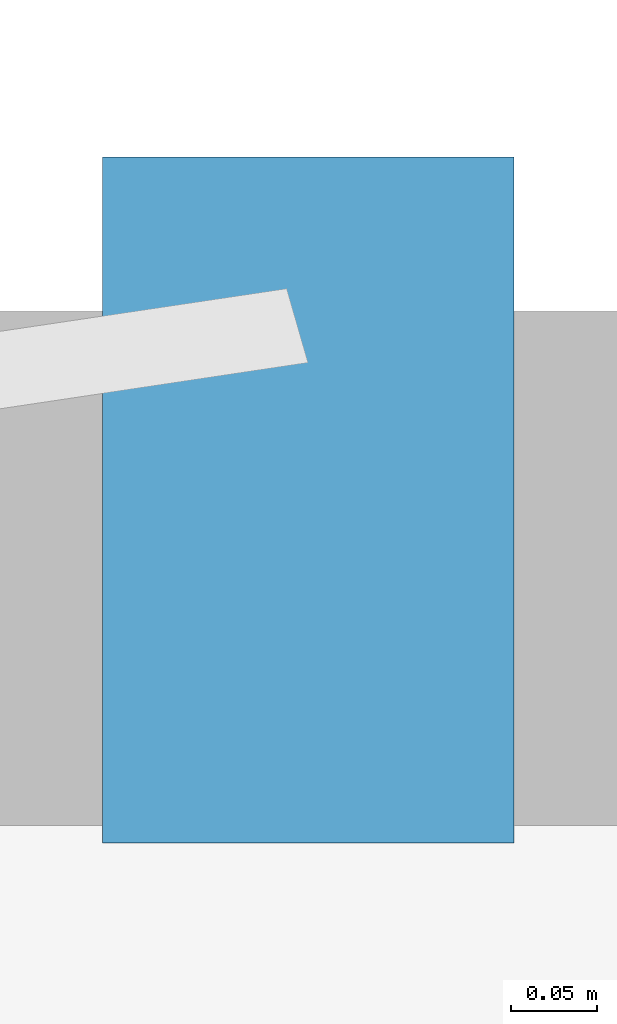
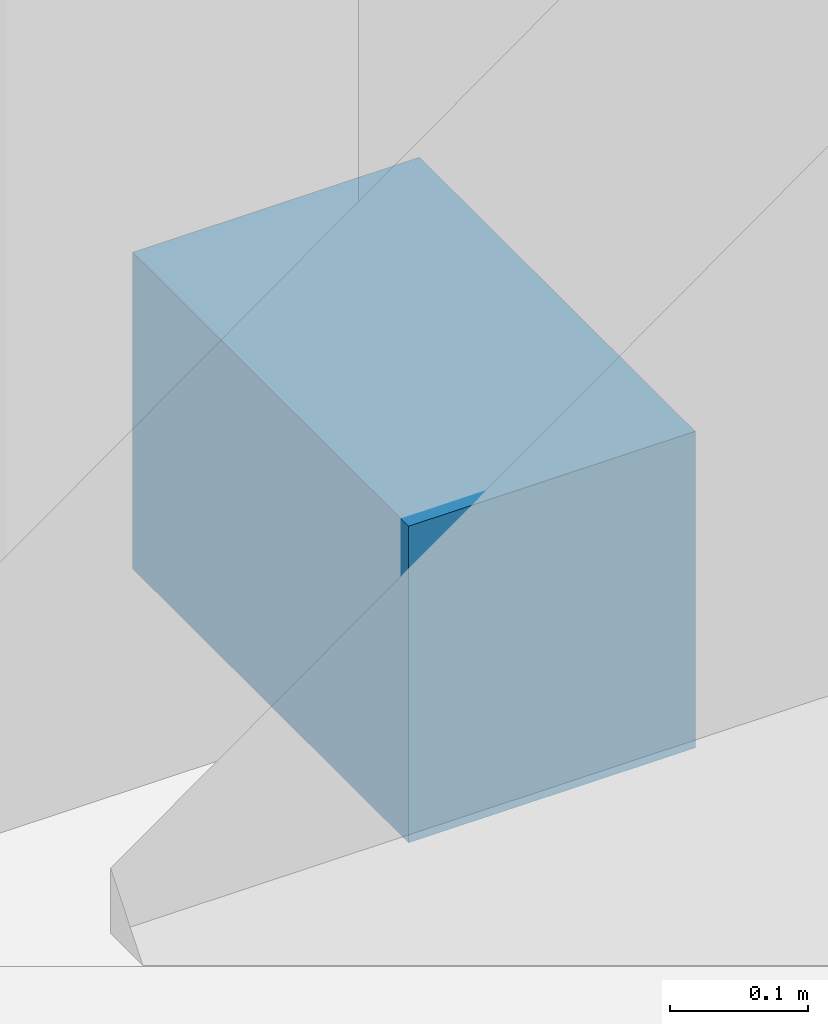
# One storey, part 19 of 22: 1 discrete accessory.
"""IFC4 building model written with IfcOpenShell, lengths in metres."""

from ifc_helpers import new_model, si_unit, direction, frame, origin, origin_2d, place, context, subcontext, project, spatial, rectangle, extrude, source, transform, mapped, material, type_object, element, save


model = new_model("IFC4")

# Units and contexts
model_context = context("Model", 3, precision=1e-05, world=origin(), true_north=direction((0.0, 1.0)))
body_context = subcontext(model_context, "Body", "Model", "MODEL_VIEW")
ifc_project = project(units=[si_unit("LENGTHUNIT", "METRE"), si_unit("AREAUNIT", "SQUARE_METRE"), si_unit("VOLUMEUNIT", "CUBIC_METRE"), si_unit("PLANEANGLEUNIT", "RADIAN"), si_unit("MASSUNIT", "GRAM", prefix="KILO")], contexts=[model_context])

# Site, building, storey
site_placement = place(None, origin())
site = spatial("IfcSite", under=ifc_project, at=site_placement, CompositionType="ELEMENT")
building_placement = place(site_placement, origin())
building = spatial("IfcBuilding", under=site, at=building_placement, Name="Khoralis Quay Care Tower", CompositionType="ELEMENT")
storey_placement = place(building_placement, frame((0.0, 0.0, 180.89990234375)))
storey = spatial("IfcBuildingStorey", under=building, at=storey_placement, Name="L47", CompositionType="ELEMENT", Elevation=180.89990234375)

# Discrete accessory
ifc_material = material(Name="Brushed stainless steel", Category="steel")
discrete_accessory_type = type_object("IfcDiscreteAccessoryType", Name="ACC-FIN-BRACKET", PredefinedType="BRACKET", material=ifc_material)
shared_shape = source(origin(), body_context, "Body", "SweptSolid", [
    extrude(rectangle(XDim=0.39990234375, YDim=0.239990234375, at=origin_2d()), origin(), (0.0, 0.0, 1.0), 0.280029296875),
])
discrete_accessory_placement = place(storey_placement, frame((36.0, 41.889892578125, -0.1201171875), z_axis=(0.0, 0.0, 1.0), x_axis=(0.0, 1.0, 0.0)))
element("IfcDiscreteAccessory", 1, at=discrete_accessory_placement, inside=storey, type_object=discrete_accessory_type, Name="L47 Solar Fin Bracket P1E10-01", PredefinedType="BRACKET", context=body_context, shape_type="MappedRepresentation", body=[
    mapped(shared_shape, transform((0.0, 0.0, 0.0), scale=1.0)),
])

save(model, "model.ifc")
